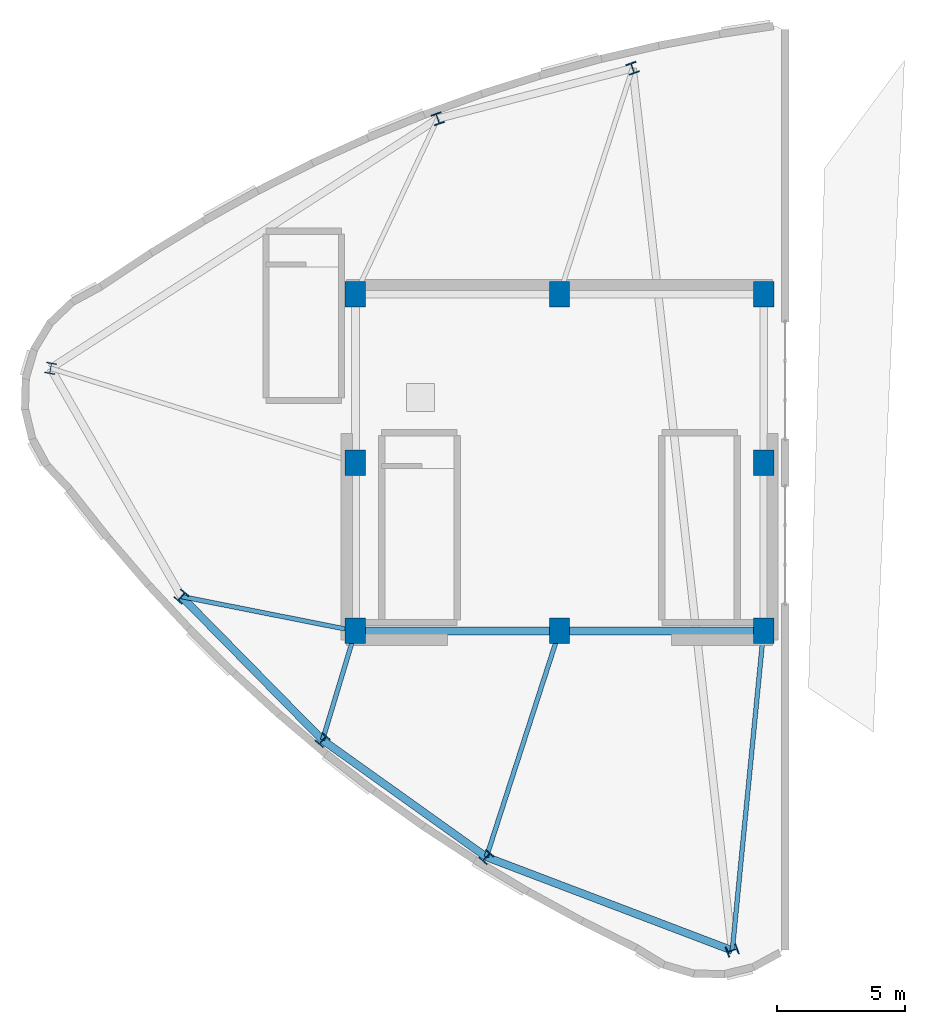
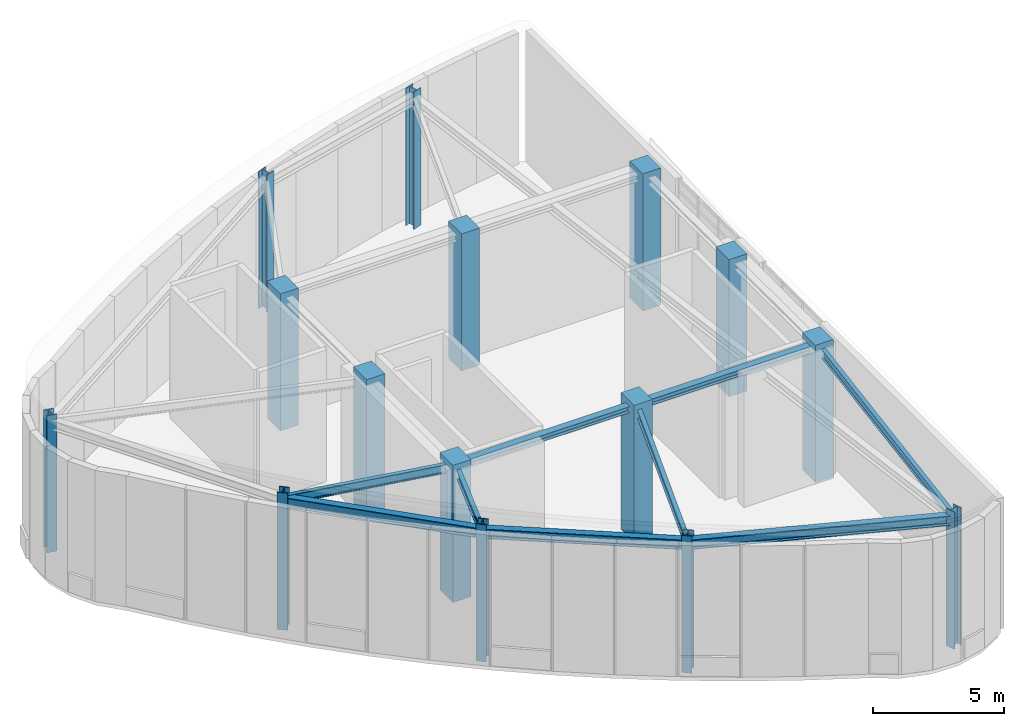
# One storey, part 1 of 9: 15 columns, 9 beams.
"""IFC4 building model written with IfcOpenShell, lengths in metres."""

from ifc_helpers import new_model, si_unit, direction, frame, origin, origin_2d, place, context, subcontext, project, spatial, rectangle, i_section, extrude, material, material_profile, profile_set, type_object, element, save


model = new_model("IFC4")

# Units and contexts
model_context = context("Model", 3, precision=1e-05, world=origin(), true_north=direction((0.0, 1.0)))
body_context = subcontext(model_context, "Body", "Model", "MODEL_VIEW")
ifc_project = project(units=[si_unit("LENGTHUNIT", "METRE"), si_unit("AREAUNIT", "SQUARE_METRE"), si_unit("VOLUMEUNIT", "CUBIC_METRE"), si_unit("PLANEANGLEUNIT", "RADIAN"), si_unit("MASSUNIT", "GRAM", prefix="KILO")], contexts=[model_context])

# Site, building, storey
site_placement = place(None, origin())
site = spatial("IfcSite", under=ifc_project, at=site_placement, CompositionType="ELEMENT")
building_placement = place(site_placement, origin())
building = spatial("IfcBuilding", under=site, at=building_placement, Name="Ndelora Gate Hotel", CompositionType="ELEMENT")
storey_placement = place(building_placement, frame((0.0, 0.0, 311.60009765625)))
storey = spatial("IfcBuildingStorey", under=building, at=storey_placement, Name="RF2", CompositionType="ELEMENT", Elevation=311.60009765625)

# Columns
ifc_material_1 = material(Name="Concrete C50/60", Category="concrete")
ifc_material_profile_1 = material_profile(ifc_material_1, rectangle(XDim=0.800048828125, YDim=1.0, at=origin_2d()), Name="RC 1000x800")
ifc_profile_set_1 = profile_set([ifc_material_profile_1], Name="Concrete C50/60")
column_type_1 = type_object("IfcColumnType", Name="COL-CC-HI", PredefinedType="COLUMN", material=ifc_profile_set_1)
for number, where, z_axis, x_axis, name in (
    (1, (-8.0, -6.60009765625, 0.0), (0.0, 0.0, 1.0), (1.0, 0.0, 0.0), "RF2 Core Column CC1"),
    (2, (0.0, -6.60009765625, 0.0), (0.0, 0.0, 1.0), (1.0, 0.0, 0.0), "RF2 Core Column CC2"),
    (3, (8.0, -6.60009765625, 0.0), (0.0, 0.0, 1.0), (1.0, 0.0, 0.0), "RF2 Core Column CC3"),
    (4, (8.0, 0.0, 0.0), (0.0, 0.0, 1.0), (1.0, 0.0, 0.0), "RF2 Core Column CC4"),
    (5, (8.0, 6.60009765625, 0.0), (0.0, 0.0, 1.0), (1.0, 0.0, 0.0), "RF2 Core Column CC5"),
    (6, (0.0, 6.60009765625, 0.0), (0.0, 0.0, 1.0), (1.0, 0.0, 0.0), "RF2 Core Column CC6"),
    (7, (-8.0, 6.60009765625, 0.0), (0.0, 0.0, 1.0), (1.0, 0.0, 0.0), "RF2 Core Column CC7"),
    (8, (-8.0, 0.0, 0.0), (0.0, 0.0, 1.0), (1.0, 0.0, 0.0), "RF2 Core Column CC8"),
):
    element("IfcColumn", number, at=place(storey_placement, frame(where, z_axis=z_axis, x_axis=x_axis)), inside=storey, type_object=column_type_1, Name=name, PredefinedType="COLUMN", context=body_context, shape_type="SweptSolid", body=[
        extrude(rectangle(XDim=0.800048828125, YDim=1.0, at=origin_2d()), origin(), (0.0, 0.0, 1.0), 6.39990234375),
    ])
ifc_material_2 = material(Name="Steel S460", Category="steel")
ifc_material_profile_2 = material_profile(ifc_material_2, i_section(OverallWidth=0.412109375, OverallDepth=0.43505859375, WebThickness=0.02490234375, FlangeThickness=0.0400390625, FilletRadius=0.014892578125, at=origin_2d()), Name="HD 400x463")
ifc_profile_set_2 = profile_set([ifc_material_profile_2], Name="Steel S460")
column_type_2 = type_object("IfcColumnType", Name="COL-STL-CRN1", PredefinedType="COLUMN", material=ifc_profile_set_2)
for number, where, z_axis, x_axis, name in (
    (9, (-19.949951171875, 3.697509765625, 0.0), (0.0, 0.0, 1.0), (-0.983254907564, 0.182235525492, 0.0), "RF2 Corner Mega-Column R1"),
    (10, (-14.822509765625, -5.248779296875, 0.0), (0.0, 0.0, 1.0), (-0.7604059656, 0.64944804833, 0.0), "RF2 Perimeter Tube Column R2"),
    (11, (-9.2890625, -10.876220703125, 0.0), (0.0, 0.0, 1.0), (-0.7604059656, 0.64944804833, 0.0), "RF2 Perimeter Tube Column R3"),
    (12, (-2.865478515625, -15.461181640625, 0.0), (0.0, 0.0, 1.0), (-0.7604059656, 0.64944804833, 0.0), "RF2 Perimeter Tube Column R4"),
    (13, (6.772705078125, -19.1259765625, 0.0), (0.0, 0.0, 1.0), (-0.333806859234, 0.942641491092, 0.0), "RF2 Corner Mega-Column R5"),
    (14, (2.865478515625, 15.461181640625, 0.0), (0.0, 0.0, 1.0), (0.942641491092, 0.333806859234, 0.0), "RF2 Perimeter Tube Column R10"),
    (15, (-4.7744140625, 13.482666015625, 0.0), (0.0, 0.0, 1.0), (0.942641491092, 0.333806859234, 0.0), "RF2 Perimeter Tube Column R11"),
):
    element("IfcColumn", number, at=place(storey_placement, frame(where, z_axis=z_axis, x_axis=x_axis)), inside=storey, type_object=column_type_2, Name=name, PredefinedType="COLUMN", context=body_context, shape_type="SweptSolid", body=[
        extrude(i_section(OverallWidth=0.412109375, OverallDepth=0.43505859375, WebThickness=0.02490234375, FlangeThickness=0.0400390625, FilletRadius=0.014892578125, at=origin_2d()), origin(), (0.0, 0.0, 1.0), 6.39990234375),
    ])

# Beams
ifc_material_3 = material(Name="Steel S355", Category="steel")
ifc_material_profile_3 = material_profile(ifc_material_3, i_section(OverallWidth=0.300048828125, OverallDepth=0.300048828125, WebThickness=0.010986328125, FlangeThickness=0.01904296875, FilletRadius=0.027099609375, at=origin_2d()), Name="HEB 300")
ifc_profile_set_3 = profile_set([ifc_material_profile_3], Name="Steel S355")
beam_type_1 = type_object("IfcBeamType", Name="BM-CORE-300", PredefinedType="BEAM", material=ifc_profile_set_3)
for number, where, z_axis, x_axis, name in (
    (16, (-8.0, -6.60009765625, 5.989990234375), (1.0, 0.0, 0.0), (0.0, 1.0, 0.0), "RF2 Core Tie Girder CC1-CC2"),
    (17, (0.0, -6.60009765625, 5.989990234375), (1.0, 0.0, 0.0), (0.0, 1.0, 0.0), "RF2 Core Tie Girder CC2-CC3"),
):
    element("IfcBeam", number, at=place(storey_placement, frame(where, z_axis=z_axis, x_axis=x_axis)), inside=storey, type_object=beam_type_1, Name=name, PredefinedType="BEAM", context=body_context, shape_type="SweptSolid", body=[
        extrude(i_section(OverallWidth=0.300048828125, OverallDepth=0.300048828125, WebThickness=0.010986328125, FlangeThickness=0.01904296875, FilletRadius=0.027099609375, at=origin_2d()), origin(), (0.0, 0.0, 1.0), 8.0),
    ])
ifc_material_profile_4 = material_profile(ifc_material_3, i_section(OverallWidth=0.179931640625, OverallDepth=0.39990234375, WebThickness=0.008544921875, FlangeThickness=0.013427734375, FilletRadius=0.02099609375, at=origin_2d()), Name="IPE 400")
ifc_profile_set_4 = profile_set([ifc_material_profile_4], Name="Steel S355")
beam_type_2 = type_object("IfcBeamType", Name="BM-RAD-400", PredefinedType="BEAM", material=ifc_profile_set_4)
beam_1_placement = place(storey_placement, frame((-8.0, -6.60009765625, 5.93994140625), z_axis=(-0.980943509294, 0.194293158846, 0.0), x_axis=(-0.194293158846, -0.980943509294, 0.0)))
element("IfcBeam", 18, at=beam_1_placement, inside=storey, type_object=beam_type_2, Name="RF2 structural beam FB-5", PredefinedType="BEAM", context=body_context, shape_type="SweptSolid", body=[
    extrude(i_section(OverallWidth=0.179931640625, OverallDepth=0.39990234375, WebThickness=0.008544921875, FlangeThickness=0.013427734375, FilletRadius=0.02099609375, at=origin_2d()), origin(), (0.0, 0.0, 1.0), 6.955078125),
])
beam_2_placement = place(storey_placement, frame((-8.0, -6.60009765625, 5.93994140625), z_axis=(-0.288626468578, -0.957441779763, 0.0), x_axis=(0.957441779763, -0.288626468578, 0.0)))
element("IfcBeam", 19, at=beam_2_placement, inside=storey, type_object=beam_type_2, Name="RF2 structural beam FB-5", PredefinedType="BEAM", context=body_context, shape_type="SweptSolid", body=[
    extrude(i_section(OverallWidth=0.179931640625, OverallDepth=0.39990234375, WebThickness=0.008544921875, FlangeThickness=0.013427734375, FilletRadius=0.02099609375, at=origin_2d()), origin(), (0.0, 0.0, 1.0), 4.46630859375),
])
beam_3_placement = place(storey_placement, frame((0.0, -6.60009765625, 5.93994140625), z_axis=(-0.307689759964, -0.951486737487, 0.0), x_axis=(0.951486737487, -0.307689759964, 0.0)))
element("IfcBeam", 20, at=beam_3_placement, inside=storey, type_object=beam_type_2, Name="RF2 structural beam FB-5", PredefinedType="BEAM", context=body_context, shape_type="SweptSolid", body=[
    extrude(i_section(OverallWidth=0.179931640625, OverallDepth=0.39990234375, WebThickness=0.008544921875, FlangeThickness=0.013427734375, FilletRadius=0.02099609375, at=origin_2d()), origin(), (0.0, 0.0, 1.0), 9.31298828125),
])
beam_4_placement = place(storey_placement, frame((8.0, -6.60009765625, 5.93994140625), z_axis=(-0.097513783863, -0.995234174432, 0.0), x_axis=(0.995234174432, -0.097513783863, 0.0)))
element("IfcBeam", 21, at=beam_4_placement, inside=storey, type_object=beam_type_2, Name="RF2 structural beam FB-5", PredefinedType="BEAM", context=body_context, shape_type="SweptSolid", body=[
    extrude(i_section(OverallWidth=0.179931640625, OverallDepth=0.39990234375, WebThickness=0.008544921875, FlangeThickness=0.013427734375, FilletRadius=0.02099609375, at=origin_2d()), origin(), (0.0, 0.0, 1.0), 12.5859375),
])
ifc_material_profile_5 = material_profile(ifc_material_3, i_section(OverallWidth=0.300048828125, OverallDepth=0.449951171875, WebThickness=0.013916015625, FlangeThickness=0.02587890625, FilletRadius=0.027099609375, at=origin_2d()), Name="HEB 450")
ifc_profile_set_5 = profile_set([ifc_material_profile_5], Name="Steel S355")
beam_type_3 = type_object("IfcBeamType", Name="BM-RING-450", PredefinedType="SPANDREL", material=ifc_profile_set_5)
beam_5_placement = place(storey_placement, frame((-14.822509765625, -5.248779296875, 5.914794921875), z_axis=(0.701126845775, -0.713036567179, 0.0), x_axis=(0.713036567179, 0.701126845775, 0.0)))
element("IfcBeam", 22, at=beam_5_placement, inside=storey, type_object=beam_type_3, Name="RF2 structural beam RB-5", PredefinedType="SPANDREL", context=body_context, shape_type="SweptSolid", body=[
    extrude(i_section(OverallWidth=0.300048828125, OverallDepth=0.449951171875, WebThickness=0.013916015625, FlangeThickness=0.02587890625, FilletRadius=0.027099609375, at=origin_2d()), origin(), (0.0, 0.0, 1.0), 7.892333984375),
])
beam_6_placement = place(storey_placement, frame((-9.2890625, -10.876220703125, 5.914794921875), z_axis=(0.813931993272, -0.580960162428, 0.0), x_axis=(0.580960162428, 0.813931993272, 0.0)))
element("IfcBeam", 23, at=beam_6_placement, inside=storey, type_object=beam_type_3, Name="RF2 structural beam RB-5", PredefinedType="SPANDREL", context=body_context, shape_type="SweptSolid", body=[
    extrude(i_section(OverallWidth=0.300048828125, OverallDepth=0.449951171875, WebThickness=0.013916015625, FlangeThickness=0.02587890625, FilletRadius=0.027099609375, at=origin_2d()), origin(), (0.0, 0.0, 1.0), 7.89208984375),
])
beam_7_placement = place(storey_placement, frame((-2.865478515625, -15.461181640625, 5.914794921875), z_axis=(0.934709973152, -0.355411403997, 0.0), x_axis=(0.355411403997, 0.934709973152, 0.0)))
element("IfcBeam", 24, at=beam_7_placement, inside=storey, type_object=beam_type_3, Name="RF2 structural beam RB-5", PredefinedType="SPANDREL", context=body_context, shape_type="SweptSolid", body=[
    extrude(i_section(OverallWidth=0.300048828125, OverallDepth=0.449951171875, WebThickness=0.013916015625, FlangeThickness=0.02587890625, FilletRadius=0.027099609375, at=origin_2d()), origin(), (0.0, 0.0, 1.0), 10.3115234375),
])

save(model, "model.ifc")
